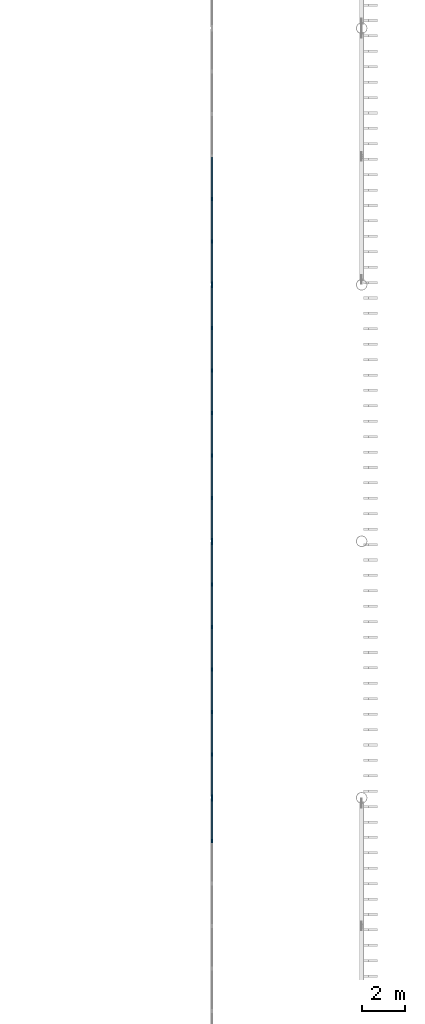
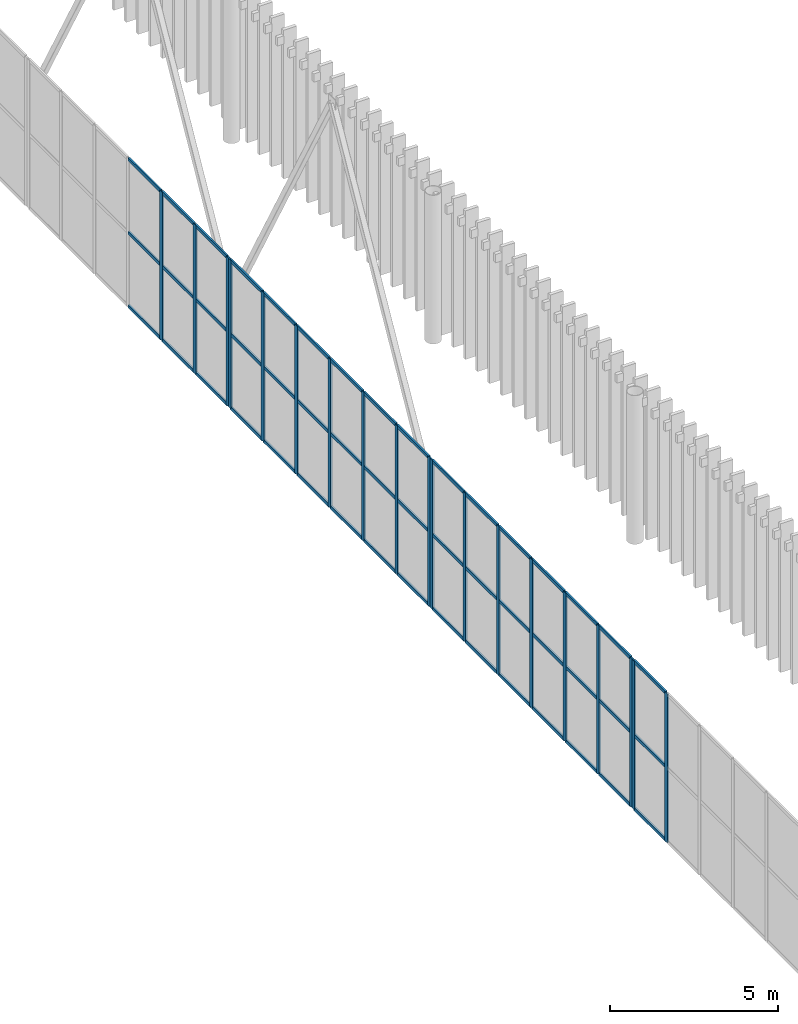
# One storey, part 46 of 170: 67 members, 4 elements without a shape of their own.
"""IFC4 building model written with IfcOpenShell, lengths in metres."""

from ifc_helpers import new_model, si_unit, direction, frame, origin, origin_2d, place, context, subcontext, project, spatial, rectangle, extrude, material, layer, layer_set, material_profile, profile_set, type_object, element, aggregate, save


model = new_model("IFC4")

# Units and contexts
model_context = context("Model", 3, precision=1e-05, world=origin(), true_north=direction((0.0, 1.0)))
body_context = subcontext(model_context, "Body", "Model", "MODEL_VIEW")
ifc_project = project(units=[si_unit("LENGTHUNIT", "METRE"), si_unit("AREAUNIT", "SQUARE_METRE"), si_unit("VOLUMEUNIT", "CUBIC_METRE"), si_unit("PLANEANGLEUNIT", "RADIAN"), si_unit("MASSUNIT", "GRAM", prefix="KILO")], contexts=[model_context])

# Site, building, storey
site_placement = place(None, origin())
site = spatial("IfcSite", under=ifc_project, at=site_placement, CompositionType="ELEMENT")
building_placement = place(site_placement, origin())
building = spatial("IfcBuilding", under=site, at=building_placement, Name="Ravi Spectrum Wholesale Market", CompositionType="ELEMENT")
storey_placement = place(building_placement, frame((0.0, 0.0, 5.39990234375)))
storey = spatial("IfcBuildingStorey", under=building, at=storey_placement, Name="L01", CompositionType="ELEMENT", Elevation=5.39990234375)

# Curtain wall, members
ifc_material_1 = material(Name="Aluminium 6063-T6", Category="aluminium")
ifc_layer = layer(ifc_material_1, 0.14990234375)
ifc_layer_set = layer_set([ifc_layer], Name="Aluminium 6063-T6")
curtain_wall_type = type_object("IfcCurtainWallType", Name="Curtain wall 150", PredefinedType="NOTDEFINED", material=ifc_layer_set)
curtain_wall_1_placement = place(storey_placement, origin())
curtain_wall_1 = element("IfcCurtainWall", 1, at=curtain_wall_1_placement, inside=storey, type_object=curtain_wall_type, Name="H1-CW-L01-018", PredefinedType="NOTDEFINED")
ifc_material_2 = material(Name="Aluminium 6063-T6", Category="aluminium")
ifc_material_profile_1 = material_profile(ifc_material_2, rectangle(XDim=0.06005859375, YDim=0.159912109375, at=origin_2d()))
ifc_profile_set_1 = profile_set([ifc_material_profile_1], Name="Aluminium 6063-T6")
member_type_1 = type_object("IfcMemberType", Name="Mullion 60 x 160", PredefinedType="MULLION", material=ifc_profile_set_1)
member_1_placement = place(storey_placement, frame((103.0, 75.973388671875, 0.0), z_axis=(0.0, 0.0, 1.0), x_axis=(-1.0, 0.0, 0.0)))
member_1 = element("IfcMember", 2, at=member_1_placement, type_object=member_type_1, Name="H1-CW-L01-018 mullion 6", PredefinedType="MULLION", context=body_context, shape_type="SweptSolid", body=[
    extrude(rectangle(XDim=0.06005859375, YDim=0.159912109375, at=origin_2d()), origin(), (0.0, 0.0, 1.0), 5.400146484375),
])
member_2_placement = place(storey_placement, frame((103.0, 77.929931640625, 0.0), z_axis=(0.0, 0.0, 1.0), x_axis=(-1.0, 0.0, 0.0)))
member_2 = element("IfcMember", 3, at=member_2_placement, type_object=member_type_1, Name="H1-CW-L01-018 mullion 7", PredefinedType="MULLION", context=body_context, shape_type="SweptSolid", body=[
    extrude(rectangle(XDim=0.06005859375, YDim=0.159912109375, at=origin_2d()), origin(), (0.0, 0.0, 1.0), 5.400146484375),
])

curtain_wall_2_placement = place(storey_placement, origin())
curtain_wall_2 = element("IfcCurtainWall", 4, at=curtain_wall_2_placement, inside=storey, type_object=curtain_wall_type, Name="H1-CW-L01-019", PredefinedType="NOTDEFINED")
member_3_placement = place(storey_placement, frame((103.0, 78.070068359375, 0.0), z_axis=(0.0, 0.0, 1.0), x_axis=(-1.0, 0.0, 0.0)))
member_3 = element("IfcMember", 5, at=member_3_placement, type_object=member_type_1, Name="H1-CW-L01-019 mullion 1", PredefinedType="MULLION", context=body_context, shape_type="SweptSolid", body=[
    extrude(rectangle(XDim=0.06005859375, YDim=0.159912109375, at=origin_2d()), origin(), (0.0, 0.0, 1.0), 5.400146484375),
])
member_4_placement = place(storey_placement, frame((103.0, 80.026611328125, 0.0), z_axis=(0.0, 0.0, 1.0), x_axis=(-1.0, 0.0, 0.0)))
member_4 = element("IfcMember", 6, at=member_4_placement, type_object=member_type_1, Name="H1-CW-L01-019 mullion 2", PredefinedType="MULLION", context=body_context, shape_type="SweptSolid", body=[
    extrude(rectangle(XDim=0.06005859375, YDim=0.159912109375, at=origin_2d()), origin(), (0.0, 0.0, 1.0), 5.400146484375),
])
member_5_placement = place(storey_placement, frame((103.0, 82.013427734375, 0.0), z_axis=(0.0, 0.0, 1.0), x_axis=(-1.0, 0.0, 0.0)))
member_5 = element("IfcMember", 7, at=member_5_placement, type_object=member_type_1, Name="H1-CW-L01-019 mullion 3", PredefinedType="MULLION", context=body_context, shape_type="SweptSolid", body=[
    extrude(rectangle(XDim=0.06005859375, YDim=0.159912109375, at=origin_2d()), origin(), (0.0, 0.0, 1.0), 5.400146484375),
])
member_6_placement = place(storey_placement, frame((103.0, 84.0, 0.0), z_axis=(0.0, 0.0, 1.0), x_axis=(-1.0, 0.0, 0.0)))
member_6 = element("IfcMember", 8, at=member_6_placement, type_object=member_type_1, Name="H1-CW-L01-019 mullion 4", PredefinedType="MULLION", context=body_context, shape_type="SweptSolid", body=[
    extrude(rectangle(XDim=0.06005859375, YDim=0.159912109375, at=origin_2d()), origin(), (0.0, 0.0, 1.0), 5.400146484375),
])
member_7_placement = place(storey_placement, frame((103.0, 85.986572265625, 0.0), z_axis=(0.0, 0.0, 1.0), x_axis=(-1.0, 0.0, 0.0)))
member_7 = element("IfcMember", 9, at=member_7_placement, type_object=member_type_1, Name="H1-CW-L01-019 mullion 5", PredefinedType="MULLION", context=body_context, shape_type="SweptSolid", body=[
    extrude(rectangle(XDim=0.06005859375, YDim=0.159912109375, at=origin_2d()), origin(), (0.0, 0.0, 1.0), 5.400146484375),
])
member_8_placement = place(storey_placement, frame((103.0, 87.973388671875, 0.0), z_axis=(0.0, 0.0, 1.0), x_axis=(-1.0, 0.0, 0.0)))
member_8 = element("IfcMember", 10, at=member_8_placement, type_object=member_type_1, Name="H1-CW-L01-019 mullion 6", PredefinedType="MULLION", context=body_context, shape_type="SweptSolid", body=[
    extrude(rectangle(XDim=0.06005859375, YDim=0.159912109375, at=origin_2d()), origin(), (0.0, 0.0, 1.0), 5.400146484375),
])
member_9_placement = place(storey_placement, frame((103.0, 89.929931640625, 0.0), z_axis=(0.0, 0.0, 1.0), x_axis=(-1.0, 0.0, 0.0)))
member_9 = element("IfcMember", 11, at=member_9_placement, type_object=member_type_1, Name="H1-CW-L01-019 mullion 7", PredefinedType="MULLION", context=body_context, shape_type="SweptSolid", body=[
    extrude(rectangle(XDim=0.06005859375, YDim=0.159912109375, at=origin_2d()), origin(), (0.0, 0.0, 1.0), 5.400146484375),
])

curtain_wall_3_placement = place(storey_placement, origin())
curtain_wall_3 = element("IfcCurtainWall", 12, at=curtain_wall_3_placement, inside=storey, type_object=curtain_wall_type, Name="H1-CW-L01-020", PredefinedType="NOTDEFINED")
member_10_placement = place(storey_placement, frame((103.0, 90.070068359375, 0.0), z_axis=(0.0, 0.0, 1.0), x_axis=(-1.0, 0.0, 0.0)))
member_10 = element("IfcMember", 13, at=member_10_placement, type_object=member_type_1, Name="H1-CW-L01-020 mullion 1", PredefinedType="MULLION", context=body_context, shape_type="SweptSolid", body=[
    extrude(rectangle(XDim=0.06005859375, YDim=0.159912109375, at=origin_2d()), origin(), (0.0, 0.0, 1.0), 5.400146484375),
])
member_11_placement = place(storey_placement, frame((103.0, 92.026611328125, 0.0), z_axis=(0.0, 0.0, 1.0), x_axis=(-1.0, 0.0, 0.0)))
member_11 = element("IfcMember", 14, at=member_11_placement, type_object=member_type_1, Name="H1-CW-L01-020 mullion 2", PredefinedType="MULLION", context=body_context, shape_type="SweptSolid", body=[
    extrude(rectangle(XDim=0.06005859375, YDim=0.159912109375, at=origin_2d()), origin(), (0.0, 0.0, 1.0), 5.400146484375),
])
member_12_placement = place(storey_placement, frame((103.0, 94.013427734375, 0.0), z_axis=(0.0, 0.0, 1.0), x_axis=(-1.0, 0.0, 0.0)))
member_12 = element("IfcMember", 15, at=member_12_placement, type_object=member_type_1, Name="H1-CW-L01-020 mullion 3", PredefinedType="MULLION", context=body_context, shape_type="SweptSolid", body=[
    extrude(rectangle(XDim=0.06005859375, YDim=0.159912109375, at=origin_2d()), origin(), (0.0, 0.0, 1.0), 5.400146484375),
])
member_13_placement = place(storey_placement, frame((103.0, 96.0, 0.0), z_axis=(0.0, 0.0, 1.0), x_axis=(-1.0, 0.0, 0.0)))
member_13 = element("IfcMember", 16, at=member_13_placement, type_object=member_type_1, Name="H1-CW-L01-020 mullion 4", PredefinedType="MULLION", context=body_context, shape_type="SweptSolid", body=[
    extrude(rectangle(XDim=0.06005859375, YDim=0.159912109375, at=origin_2d()), origin(), (0.0, 0.0, 1.0), 5.400146484375),
])
member_14_placement = place(storey_placement, frame((103.0, 97.986572265625, 0.0), z_axis=(0.0, 0.0, 1.0), x_axis=(-1.0, 0.0, 0.0)))
member_14 = element("IfcMember", 17, at=member_14_placement, type_object=member_type_1, Name="H1-CW-L01-020 mullion 5", PredefinedType="MULLION", context=body_context, shape_type="SweptSolid", body=[
    extrude(rectangle(XDim=0.06005859375, YDim=0.159912109375, at=origin_2d()), origin(), (0.0, 0.0, 1.0), 5.400146484375),
])
member_15_placement = place(storey_placement, frame((103.0, 99.973388671875, 0.0), z_axis=(0.0, 0.0, 1.0), x_axis=(-1.0, 0.0, 0.0)))
member_15 = element("IfcMember", 18, at=member_15_placement, type_object=member_type_1, Name="H1-CW-L01-020 mullion 6", PredefinedType="MULLION", context=body_context, shape_type="SweptSolid", body=[
    extrude(rectangle(XDim=0.06005859375, YDim=0.159912109375, at=origin_2d()), origin(), (0.0, 0.0, 1.0), 5.400146484375),
])
member_16_placement = place(storey_placement, frame((103.0, 101.929931640625, 0.0), z_axis=(0.0, 0.0, 1.0), x_axis=(-1.0, 0.0, 0.0)))
member_16 = element("IfcMember", 19, at=member_16_placement, type_object=member_type_1, Name="H1-CW-L01-020 mullion 7", PredefinedType="MULLION", context=body_context, shape_type="SweptSolid", body=[
    extrude(rectangle(XDim=0.06005859375, YDim=0.159912109375, at=origin_2d()), origin(), (0.0, 0.0, 1.0), 5.400146484375),
])

curtain_wall_4_placement = place(storey_placement, origin())
curtain_wall_4 = element("IfcCurtainWall", 20, at=curtain_wall_4_placement, inside=storey, type_object=curtain_wall_type, Name="H1-CW-L01-021", PredefinedType="NOTDEFINED")
member_17_placement = place(storey_placement, frame((103.0, 102.070068359375, 0.0), z_axis=(0.0, 0.0, 1.0), x_axis=(-1.0, 0.0, 0.0)))
member_17 = element("IfcMember", 21, at=member_17_placement, type_object=member_type_1, Name="H1-CW-L01-021 mullion 1", PredefinedType="MULLION", context=body_context, shape_type="SweptSolid", body=[
    extrude(rectangle(XDim=0.06005859375, YDim=0.159912109375, at=origin_2d()), origin(), (0.0, 0.0, 1.0), 5.400146484375),
])
member_18_placement = place(storey_placement, frame((103.0, 104.026611328125, 0.0), z_axis=(0.0, 0.0, 1.0), x_axis=(-1.0, 0.0, 0.0)))
member_18 = element("IfcMember", 22, at=member_18_placement, type_object=member_type_1, Name="H1-CW-L01-021 mullion 2", PredefinedType="MULLION", context=body_context, shape_type="SweptSolid", body=[
    extrude(rectangle(XDim=0.06005859375, YDim=0.159912109375, at=origin_2d()), origin(), (0.0, 0.0, 1.0), 5.400146484375),
])
member_19_placement = place(storey_placement, frame((103.0, 106.013427734375, 0.0), z_axis=(0.0, 0.0, 1.0), x_axis=(-1.0, 0.0, 0.0)))
member_19 = element("IfcMember", 23, at=member_19_placement, type_object=member_type_1, Name="H1-CW-L01-021 mullion 3", PredefinedType="MULLION", context=body_context, shape_type="SweptSolid", body=[
    extrude(rectangle(XDim=0.06005859375, YDim=0.159912109375, at=origin_2d()), origin(), (0.0, 0.0, 1.0), 5.400146484375),
])

# Member
ifc_material_3 = material(Name="Aluminium 6063-T6", Category="aluminium")
ifc_material_profile_2 = material_profile(ifc_material_3, rectangle(XDim=0.06005859375, YDim=0.1201171875, at=origin_2d()))
ifc_profile_set_2 = profile_set([ifc_material_profile_2], Name="Aluminium 6063-T6")
member_type_2 = type_object("IfcMemberType", Name="Transom 60 x 120", PredefinedType="USERDEFINED", material=ifc_profile_set_2)
member_20_placement = place(storey_placement, frame((103.0, 76.00341796875, 0.030029296875), z_axis=(0.0, 1.0, 0.0), x_axis=(-1.0, 0.0, 0.0)))
member_20 = element("IfcMember", 24, at=member_20_placement, type_object=member_type_2, Name="H1-CW-L01-018 transom 6.1", ObjectType="TRANSOM", PredefinedType="USERDEFINED", context=body_context, shape_type="SweptSolid", body=[
    extrude(rectangle(XDim=0.06005859375, YDim=0.1201171875, at=origin_2d()), origin(), (0.0, 0.0, 1.0), 1.896484375),
])

member_21_placement = place(storey_placement, frame((103.0, 76.00341796875, 2.7001953125), z_axis=(0.0, 1.0, 0.0), x_axis=(-1.0, 0.0, 0.0)))
member_21 = element("IfcMember", 25, at=member_21_placement, type_object=member_type_2, Name="H1-CW-L01-018 transom 6.2", ObjectType="TRANSOM", PredefinedType="USERDEFINED", context=body_context, shape_type="SweptSolid", body=[
    extrude(rectangle(XDim=0.06005859375, YDim=0.1201171875, at=origin_2d()), origin(), (0.0, 0.0, 1.0), 1.896484375),
])

member_22_placement = place(storey_placement, frame((103.0, 76.00341796875, 5.3701171875), z_axis=(0.0, 1.0, 0.0), x_axis=(-1.0, 0.0, 0.0)))
member_22 = element("IfcMember", 26, at=member_22_placement, type_object=member_type_2, Name="H1-CW-L01-018 transom 6.3", ObjectType="TRANSOM", PredefinedType="USERDEFINED", context=body_context, shape_type="SweptSolid", body=[
    extrude(rectangle(XDim=0.06005859375, YDim=0.1201171875, at=origin_2d()), origin(), (0.0, 0.0, 1.0), 1.896484375),
])

aggregate(curtain_wall_1, [member_1, member_2, member_20, member_21, member_22])

member_23_placement = place(storey_placement, frame((103.0, 78.10009765625, 0.030029296875), z_axis=(0.0, 1.0, 0.0), x_axis=(-1.0, 0.0, 0.0)))
member_23 = element("IfcMember", 27, at=member_23_placement, type_object=member_type_2, Name="H1-CW-L01-019 transom 1.1", ObjectType="TRANSOM", PredefinedType="USERDEFINED", context=body_context, shape_type="SweptSolid", body=[
    extrude(rectangle(XDim=0.06005859375, YDim=0.1201171875, at=origin_2d()), origin(), (0.0, 0.0, 1.0), 1.896484375),
])

member_24_placement = place(storey_placement, frame((103.0, 78.10009765625, 2.7001953125), z_axis=(0.0, 1.0, 0.0), x_axis=(-1.0, 0.0, 0.0)))
member_24 = element("IfcMember", 28, at=member_24_placement, type_object=member_type_2, Name="H1-CW-L01-019 transom 1.2", ObjectType="TRANSOM", PredefinedType="USERDEFINED", context=body_context, shape_type="SweptSolid", body=[
    extrude(rectangle(XDim=0.06005859375, YDim=0.1201171875, at=origin_2d()), origin(), (0.0, 0.0, 1.0), 1.896484375),
])

member_25_placement = place(storey_placement, frame((103.0, 78.10009765625, 5.3701171875), z_axis=(0.0, 1.0, 0.0), x_axis=(-1.0, 0.0, 0.0)))
member_25 = element("IfcMember", 29, at=member_25_placement, type_object=member_type_2, Name="H1-CW-L01-019 transom 1.3", ObjectType="TRANSOM", PredefinedType="USERDEFINED", context=body_context, shape_type="SweptSolid", body=[
    extrude(rectangle(XDim=0.06005859375, YDim=0.1201171875, at=origin_2d()), origin(), (0.0, 0.0, 1.0), 1.896484375),
])

member_26_placement = place(storey_placement, frame((103.0, 80.056640625, 0.030029296875), z_axis=(0.0, 1.0, 0.0), x_axis=(-1.0, 0.0, 0.0)))
member_26 = element("IfcMember", 30, at=member_26_placement, type_object=member_type_2, Name="H1-CW-L01-019 transom 2.1", ObjectType="TRANSOM", PredefinedType="USERDEFINED", context=body_context, shape_type="SweptSolid", body=[
    extrude(rectangle(XDim=0.06005859375, YDim=0.1201171875, at=origin_2d()), origin(), (0.0, 0.0, 1.0), 1.9267578125),
])

member_27_placement = place(storey_placement, frame((103.0, 80.056640625, 2.7001953125), z_axis=(0.0, 1.0, 0.0), x_axis=(-1.0, 0.0, 0.0)))
member_27 = element("IfcMember", 31, at=member_27_placement, type_object=member_type_2, Name="H1-CW-L01-019 transom 2.2", ObjectType="TRANSOM", PredefinedType="USERDEFINED", context=body_context, shape_type="SweptSolid", body=[
    extrude(rectangle(XDim=0.06005859375, YDim=0.1201171875, at=origin_2d()), origin(), (0.0, 0.0, 1.0), 1.9267578125),
])

member_28_placement = place(storey_placement, frame((103.0, 80.056640625, 5.3701171875), z_axis=(0.0, 1.0, 0.0), x_axis=(-1.0, 0.0, 0.0)))
member_28 = element("IfcMember", 32, at=member_28_placement, type_object=member_type_2, Name="H1-CW-L01-019 transom 2.3", ObjectType="TRANSOM", PredefinedType="USERDEFINED", context=body_context, shape_type="SweptSolid", body=[
    extrude(rectangle(XDim=0.06005859375, YDim=0.1201171875, at=origin_2d()), origin(), (0.0, 0.0, 1.0), 1.9267578125),
])

member_29_placement = place(storey_placement, frame((103.0, 82.043212890625, 0.030029296875), z_axis=(0.0, 1.0, 0.0), x_axis=(-1.0, 0.0, 0.0)))
member_29 = element("IfcMember", 33, at=member_29_placement, type_object=member_type_2, Name="H1-CW-L01-019 transom 3.1", ObjectType="TRANSOM", PredefinedType="USERDEFINED", context=body_context, shape_type="SweptSolid", body=[
    extrude(rectangle(XDim=0.06005859375, YDim=0.1201171875, at=origin_2d()), origin(), (0.0, 0.0, 1.0), 1.9267578125),
])

member_30_placement = place(storey_placement, frame((103.0, 82.043212890625, 2.7001953125), z_axis=(0.0, 1.0, 0.0), x_axis=(-1.0, 0.0, 0.0)))
member_30 = element("IfcMember", 34, at=member_30_placement, type_object=member_type_2, Name="H1-CW-L01-019 transom 3.2", ObjectType="TRANSOM", PredefinedType="USERDEFINED", context=body_context, shape_type="SweptSolid", body=[
    extrude(rectangle(XDim=0.06005859375, YDim=0.1201171875, at=origin_2d()), origin(), (0.0, 0.0, 1.0), 1.9267578125),
])

member_31_placement = place(storey_placement, frame((103.0, 82.043212890625, 5.3701171875), z_axis=(0.0, 1.0, 0.0), x_axis=(-1.0, 0.0, 0.0)))
member_31 = element("IfcMember", 35, at=member_31_placement, type_object=member_type_2, Name="H1-CW-L01-019 transom 3.3", ObjectType="TRANSOM", PredefinedType="USERDEFINED", context=body_context, shape_type="SweptSolid", body=[
    extrude(rectangle(XDim=0.06005859375, YDim=0.1201171875, at=origin_2d()), origin(), (0.0, 0.0, 1.0), 1.9267578125),
])

member_32_placement = place(storey_placement, frame((103.0, 84.030029296875, 0.030029296875), z_axis=(0.0, 1.0, 0.0), x_axis=(-1.0, 0.0, 0.0)))
member_32 = element("IfcMember", 36, at=member_32_placement, type_object=member_type_2, Name="H1-CW-L01-019 transom 4.1", ObjectType="TRANSOM", PredefinedType="USERDEFINED", context=body_context, shape_type="SweptSolid", body=[
    extrude(rectangle(XDim=0.06005859375, YDim=0.1201171875, at=origin_2d()), origin(), (0.0, 0.0, 1.0), 1.9267578125),
])

member_33_placement = place(storey_placement, frame((103.0, 84.030029296875, 2.7001953125), z_axis=(0.0, 1.0, 0.0), x_axis=(-1.0, 0.0, 0.0)))
member_33 = element("IfcMember", 37, at=member_33_placement, type_object=member_type_2, Name="H1-CW-L01-019 transom 4.2", ObjectType="TRANSOM", PredefinedType="USERDEFINED", context=body_context, shape_type="SweptSolid", body=[
    extrude(rectangle(XDim=0.06005859375, YDim=0.1201171875, at=origin_2d()), origin(), (0.0, 0.0, 1.0), 1.9267578125),
])

member_34_placement = place(storey_placement, frame((103.0, 84.030029296875, 5.3701171875), z_axis=(0.0, 1.0, 0.0), x_axis=(-1.0, 0.0, 0.0)))
member_34 = element("IfcMember", 38, at=member_34_placement, type_object=member_type_2, Name="H1-CW-L01-019 transom 4.3", ObjectType="TRANSOM", PredefinedType="USERDEFINED", context=body_context, shape_type="SweptSolid", body=[
    extrude(rectangle(XDim=0.06005859375, YDim=0.1201171875, at=origin_2d()), origin(), (0.0, 0.0, 1.0), 1.9267578125),
])

member_35_placement = place(storey_placement, frame((103.0, 86.0166015625, 0.030029296875), z_axis=(0.0, 1.0, 0.0), x_axis=(-1.0, 0.0, 0.0)))
member_35 = element("IfcMember", 39, at=member_35_placement, type_object=member_type_2, Name="H1-CW-L01-019 transom 5.1", ObjectType="TRANSOM", PredefinedType="USERDEFINED", context=body_context, shape_type="SweptSolid", body=[
    extrude(rectangle(XDim=0.06005859375, YDim=0.1201171875, at=origin_2d()), origin(), (0.0, 0.0, 1.0), 1.9267578125),
])

member_36_placement = place(storey_placement, frame((103.0, 86.0166015625, 2.7001953125), z_axis=(0.0, 1.0, 0.0), x_axis=(-1.0, 0.0, 0.0)))
member_36 = element("IfcMember", 40, at=member_36_placement, type_object=member_type_2, Name="H1-CW-L01-019 transom 5.2", ObjectType="TRANSOM", PredefinedType="USERDEFINED", context=body_context, shape_type="SweptSolid", body=[
    extrude(rectangle(XDim=0.06005859375, YDim=0.1201171875, at=origin_2d()), origin(), (0.0, 0.0, 1.0), 1.9267578125),
])

member_37_placement = place(storey_placement, frame((103.0, 86.0166015625, 5.3701171875), z_axis=(0.0, 1.0, 0.0), x_axis=(-1.0, 0.0, 0.0)))
member_37 = element("IfcMember", 41, at=member_37_placement, type_object=member_type_2, Name="H1-CW-L01-019 transom 5.3", ObjectType="TRANSOM", PredefinedType="USERDEFINED", context=body_context, shape_type="SweptSolid", body=[
    extrude(rectangle(XDim=0.06005859375, YDim=0.1201171875, at=origin_2d()), origin(), (0.0, 0.0, 1.0), 1.9267578125),
])

member_38_placement = place(storey_placement, frame((103.0, 88.00341796875, 0.030029296875), z_axis=(0.0, 1.0, 0.0), x_axis=(-1.0, 0.0, 0.0)))
member_38 = element("IfcMember", 42, at=member_38_placement, type_object=member_type_2, Name="H1-CW-L01-019 transom 6.1", ObjectType="TRANSOM", PredefinedType="USERDEFINED", context=body_context, shape_type="SweptSolid", body=[
    extrude(rectangle(XDim=0.06005859375, YDim=0.1201171875, at=origin_2d()), origin(), (0.0, 0.0, 1.0), 1.896484375),
])

member_39_placement = place(storey_placement, frame((103.0, 88.00341796875, 2.7001953125), z_axis=(0.0, 1.0, 0.0), x_axis=(-1.0, 0.0, 0.0)))
member_39 = element("IfcMember", 43, at=member_39_placement, type_object=member_type_2, Name="H1-CW-L01-019 transom 6.2", ObjectType="TRANSOM", PredefinedType="USERDEFINED", context=body_context, shape_type="SweptSolid", body=[
    extrude(rectangle(XDim=0.06005859375, YDim=0.1201171875, at=origin_2d()), origin(), (0.0, 0.0, 1.0), 1.896484375),
])

member_40_placement = place(storey_placement, frame((103.0, 88.00341796875, 5.3701171875), z_axis=(0.0, 1.0, 0.0), x_axis=(-1.0, 0.0, 0.0)))
member_40 = element("IfcMember", 44, at=member_40_placement, type_object=member_type_2, Name="H1-CW-L01-019 transom 6.3", ObjectType="TRANSOM", PredefinedType="USERDEFINED", context=body_context, shape_type="SweptSolid", body=[
    extrude(rectangle(XDim=0.06005859375, YDim=0.1201171875, at=origin_2d()), origin(), (0.0, 0.0, 1.0), 1.896484375),
])

aggregate(curtain_wall_2, [member_3, member_4, member_5, member_6, member_7, member_8, member_9, member_23, member_24, member_25, member_26, member_27, member_28, member_29, member_30, member_31, member_32, member_33, member_34, member_35, member_36, member_37, member_38, member_39, member_40])

member_41_placement = place(storey_placement, frame((103.0, 90.10009765625, 0.030029296875), z_axis=(0.0, 1.0, 0.0), x_axis=(-1.0, 0.0, 0.0)))
member_41 = element("IfcMember", 45, at=member_41_placement, type_object=member_type_2, Name="H1-CW-L01-020 transom 1.1", ObjectType="TRANSOM", PredefinedType="USERDEFINED", context=body_context, shape_type="SweptSolid", body=[
    extrude(rectangle(XDim=0.06005859375, YDim=0.1201171875, at=origin_2d()), origin(), (0.0, 0.0, 1.0), 1.896484375),
])

member_42_placement = place(storey_placement, frame((103.0, 90.10009765625, 2.7001953125), z_axis=(0.0, 1.0, 0.0), x_axis=(-1.0, 0.0, 0.0)))
member_42 = element("IfcMember", 46, at=member_42_placement, type_object=member_type_2, Name="H1-CW-L01-020 transom 1.2", ObjectType="TRANSOM", PredefinedType="USERDEFINED", context=body_context, shape_type="SweptSolid", body=[
    extrude(rectangle(XDim=0.06005859375, YDim=0.1201171875, at=origin_2d()), origin(), (0.0, 0.0, 1.0), 1.896484375),
])

member_43_placement = place(storey_placement, frame((103.0, 90.10009765625, 5.3701171875), z_axis=(0.0, 1.0, 0.0), x_axis=(-1.0, 0.0, 0.0)))
member_43 = element("IfcMember", 47, at=member_43_placement, type_object=member_type_2, Name="H1-CW-L01-020 transom 1.3", ObjectType="TRANSOM", PredefinedType="USERDEFINED", context=body_context, shape_type="SweptSolid", body=[
    extrude(rectangle(XDim=0.06005859375, YDim=0.1201171875, at=origin_2d()), origin(), (0.0, 0.0, 1.0), 1.896484375),
])

member_44_placement = place(storey_placement, frame((103.0, 92.056640625, 0.030029296875), z_axis=(0.0, 1.0, 0.0), x_axis=(-1.0, 0.0, 0.0)))
member_44 = element("IfcMember", 48, at=member_44_placement, type_object=member_type_2, Name="H1-CW-L01-020 transom 2.1", ObjectType="TRANSOM", PredefinedType="USERDEFINED", context=body_context, shape_type="SweptSolid", body=[
    extrude(rectangle(XDim=0.06005859375, YDim=0.1201171875, at=origin_2d()), origin(), (0.0, 0.0, 1.0), 1.9267578125),
])

member_45_placement = place(storey_placement, frame((103.0, 92.056640625, 2.7001953125), z_axis=(0.0, 1.0, 0.0), x_axis=(-1.0, 0.0, 0.0)))
member_45 = element("IfcMember", 49, at=member_45_placement, type_object=member_type_2, Name="H1-CW-L01-020 transom 2.2", ObjectType="TRANSOM", PredefinedType="USERDEFINED", context=body_context, shape_type="SweptSolid", body=[
    extrude(rectangle(XDim=0.06005859375, YDim=0.1201171875, at=origin_2d()), origin(), (0.0, 0.0, 1.0), 1.9267578125),
])

member_46_placement = place(storey_placement, frame((103.0, 92.056640625, 5.3701171875), z_axis=(0.0, 1.0, 0.0), x_axis=(-1.0, 0.0, 0.0)))
member_46 = element("IfcMember", 50, at=member_46_placement, type_object=member_type_2, Name="H1-CW-L01-020 transom 2.3", ObjectType="TRANSOM", PredefinedType="USERDEFINED", context=body_context, shape_type="SweptSolid", body=[
    extrude(rectangle(XDim=0.06005859375, YDim=0.1201171875, at=origin_2d()), origin(), (0.0, 0.0, 1.0), 1.9267578125),
])

member_47_placement = place(storey_placement, frame((103.0, 94.043212890625, 0.030029296875), z_axis=(0.0, 1.0, 0.0), x_axis=(-1.0, 0.0, 0.0)))
member_47 = element("IfcMember", 51, at=member_47_placement, type_object=member_type_2, Name="H1-CW-L01-020 transom 3.1", ObjectType="TRANSOM", PredefinedType="USERDEFINED", context=body_context, shape_type="SweptSolid", body=[
    extrude(rectangle(XDim=0.06005859375, YDim=0.1201171875, at=origin_2d()), origin(), (0.0, 0.0, 1.0), 1.9267578125),
])

member_48_placement = place(storey_placement, frame((103.0, 94.043212890625, 2.7001953125), z_axis=(0.0, 1.0, 0.0), x_axis=(-1.0, 0.0, 0.0)))
member_48 = element("IfcMember", 52, at=member_48_placement, type_object=member_type_2, Name="H1-CW-L01-020 transom 3.2", ObjectType="TRANSOM", PredefinedType="USERDEFINED", context=body_context, shape_type="SweptSolid", body=[
    extrude(rectangle(XDim=0.06005859375, YDim=0.1201171875, at=origin_2d()), origin(), (0.0, 0.0, 1.0), 1.9267578125),
])

member_49_placement = place(storey_placement, frame((103.0, 94.043212890625, 5.3701171875), z_axis=(0.0, 1.0, 0.0), x_axis=(-1.0, 0.0, 0.0)))
member_49 = element("IfcMember", 53, at=member_49_placement, type_object=member_type_2, Name="H1-CW-L01-020 transom 3.3", ObjectType="TRANSOM", PredefinedType="USERDEFINED", context=body_context, shape_type="SweptSolid", body=[
    extrude(rectangle(XDim=0.06005859375, YDim=0.1201171875, at=origin_2d()), origin(), (0.0, 0.0, 1.0), 1.9267578125),
])

member_50_placement = place(storey_placement, frame((103.0, 96.030029296875, 0.030029296875), z_axis=(0.0, 1.0, 0.0), x_axis=(-1.0, 0.0, 0.0)))
member_50 = element("IfcMember", 54, at=member_50_placement, type_object=member_type_2, Name="H1-CW-L01-020 transom 4.1", ObjectType="TRANSOM", PredefinedType="USERDEFINED", context=body_context, shape_type="SweptSolid", body=[
    extrude(rectangle(XDim=0.06005859375, YDim=0.1201171875, at=origin_2d()), origin(), (0.0, 0.0, 1.0), 1.9267578125),
])

member_51_placement = place(storey_placement, frame((103.0, 96.030029296875, 2.7001953125), z_axis=(0.0, 1.0, 0.0), x_axis=(-1.0, 0.0, 0.0)))
member_51 = element("IfcMember", 55, at=member_51_placement, type_object=member_type_2, Name="H1-CW-L01-020 transom 4.2", ObjectType="TRANSOM", PredefinedType="USERDEFINED", context=body_context, shape_type="SweptSolid", body=[
    extrude(rectangle(XDim=0.06005859375, YDim=0.1201171875, at=origin_2d()), origin(), (0.0, 0.0, 1.0), 1.9267578125),
])

member_52_placement = place(storey_placement, frame((103.0, 96.030029296875, 5.3701171875), z_axis=(0.0, 1.0, 0.0), x_axis=(-1.0, 0.0, 0.0)))
member_52 = element("IfcMember", 56, at=member_52_placement, type_object=member_type_2, Name="H1-CW-L01-020 transom 4.3", ObjectType="TRANSOM", PredefinedType="USERDEFINED", context=body_context, shape_type="SweptSolid", body=[
    extrude(rectangle(XDim=0.06005859375, YDim=0.1201171875, at=origin_2d()), origin(), (0.0, 0.0, 1.0), 1.9267578125),
])

member_53_placement = place(storey_placement, frame((103.0, 98.0166015625, 0.030029296875), z_axis=(0.0, 1.0, 0.0), x_axis=(-1.0, 0.0, 0.0)))
member_53 = element("IfcMember", 57, at=member_53_placement, type_object=member_type_2, Name="H1-CW-L01-020 transom 5.1", ObjectType="TRANSOM", PredefinedType="USERDEFINED", context=body_context, shape_type="SweptSolid", body=[
    extrude(rectangle(XDim=0.06005859375, YDim=0.1201171875, at=origin_2d()), origin(), (0.0, 0.0, 1.0), 1.9267578125),
])

member_54_placement = place(storey_placement, frame((103.0, 98.0166015625, 2.7001953125), z_axis=(0.0, 1.0, 0.0), x_axis=(-1.0, 0.0, 0.0)))
member_54 = element("IfcMember", 58, at=member_54_placement, type_object=member_type_2, Name="H1-CW-L01-020 transom 5.2", ObjectType="TRANSOM", PredefinedType="USERDEFINED", context=body_context, shape_type="SweptSolid", body=[
    extrude(rectangle(XDim=0.06005859375, YDim=0.1201171875, at=origin_2d()), origin(), (0.0, 0.0, 1.0), 1.9267578125),
])

member_55_placement = place(storey_placement, frame((103.0, 98.0166015625, 5.3701171875), z_axis=(0.0, 1.0, 0.0), x_axis=(-1.0, 0.0, 0.0)))
member_55 = element("IfcMember", 59, at=member_55_placement, type_object=member_type_2, Name="H1-CW-L01-020 transom 5.3", ObjectType="TRANSOM", PredefinedType="USERDEFINED", context=body_context, shape_type="SweptSolid", body=[
    extrude(rectangle(XDim=0.06005859375, YDim=0.1201171875, at=origin_2d()), origin(), (0.0, 0.0, 1.0), 1.9267578125),
])

member_56_placement = place(storey_placement, frame((103.0, 100.00341796875, 0.030029296875), z_axis=(0.0, 1.0, 0.0), x_axis=(-1.0, 0.0, 0.0)))
member_56 = element("IfcMember", 60, at=member_56_placement, type_object=member_type_2, Name="H1-CW-L01-020 transom 6.1", ObjectType="TRANSOM", PredefinedType="USERDEFINED", context=body_context, shape_type="SweptSolid", body=[
    extrude(rectangle(XDim=0.06005859375, YDim=0.1201171875, at=origin_2d()), origin(), (0.0, 0.0, 1.0), 1.896484375),
])

member_57_placement = place(storey_placement, frame((103.0, 100.00341796875, 2.7001953125), z_axis=(0.0, 1.0, 0.0), x_axis=(-1.0, 0.0, 0.0)))
member_57 = element("IfcMember", 61, at=member_57_placement, type_object=member_type_2, Name="H1-CW-L01-020 transom 6.2", ObjectType="TRANSOM", PredefinedType="USERDEFINED", context=body_context, shape_type="SweptSolid", body=[
    extrude(rectangle(XDim=0.06005859375, YDim=0.1201171875, at=origin_2d()), origin(), (0.0, 0.0, 1.0), 1.896484375),
])

member_58_placement = place(storey_placement, frame((103.0, 100.00341796875, 5.3701171875), z_axis=(0.0, 1.0, 0.0), x_axis=(-1.0, 0.0, 0.0)))
member_58 = element("IfcMember", 62, at=member_58_placement, type_object=member_type_2, Name="H1-CW-L01-020 transom 6.3", ObjectType="TRANSOM", PredefinedType="USERDEFINED", context=body_context, shape_type="SweptSolid", body=[
    extrude(rectangle(XDim=0.06005859375, YDim=0.1201171875, at=origin_2d()), origin(), (0.0, 0.0, 1.0), 1.896484375),
])

aggregate(curtain_wall_3, [member_10, member_11, member_12, member_13, member_14, member_15, member_16, member_41, member_42, member_43, member_44, member_45, member_46, member_47, member_48, member_49, member_50, member_51, member_52, member_53, member_54, member_55, member_56, member_57, member_58])

member_59_placement = place(storey_placement, frame((103.0, 102.10009765625, 0.030029296875), z_axis=(0.0, 1.0, 0.0), x_axis=(-1.0, 0.0, 0.0)))
member_59 = element("IfcMember", 63, at=member_59_placement, type_object=member_type_2, Name="H1-CW-L01-021 transom 1.1", ObjectType="TRANSOM", PredefinedType="USERDEFINED", context=body_context, shape_type="SweptSolid", body=[
    extrude(rectangle(XDim=0.06005859375, YDim=0.1201171875, at=origin_2d()), origin(), (0.0, 0.0, 1.0), 1.896484375),
])

member_60_placement = place(storey_placement, frame((103.0, 102.10009765625, 2.7001953125), z_axis=(0.0, 1.0, 0.0), x_axis=(-1.0, 0.0, 0.0)))
member_60 = element("IfcMember", 64, at=member_60_placement, type_object=member_type_2, Name="H1-CW-L01-021 transom 1.2", ObjectType="TRANSOM", PredefinedType="USERDEFINED", context=body_context, shape_type="SweptSolid", body=[
    extrude(rectangle(XDim=0.06005859375, YDim=0.1201171875, at=origin_2d()), origin(), (0.0, 0.0, 1.0), 1.896484375),
])

member_61_placement = place(storey_placement, frame((103.0, 102.10009765625, 5.3701171875), z_axis=(0.0, 1.0, 0.0), x_axis=(-1.0, 0.0, 0.0)))
member_61 = element("IfcMember", 65, at=member_61_placement, type_object=member_type_2, Name="H1-CW-L01-021 transom 1.3", ObjectType="TRANSOM", PredefinedType="USERDEFINED", context=body_context, shape_type="SweptSolid", body=[
    extrude(rectangle(XDim=0.06005859375, YDim=0.1201171875, at=origin_2d()), origin(), (0.0, 0.0, 1.0), 1.896484375),
])

member_62_placement = place(storey_placement, frame((103.0, 104.056640625, 0.030029296875), z_axis=(0.0, 1.0, 0.0), x_axis=(-1.0, 0.0, 0.0)))
member_62 = element("IfcMember", 66, at=member_62_placement, type_object=member_type_2, Name="H1-CW-L01-021 transom 2.1", ObjectType="TRANSOM", PredefinedType="USERDEFINED", context=body_context, shape_type="SweptSolid", body=[
    extrude(rectangle(XDim=0.06005859375, YDim=0.1201171875, at=origin_2d()), origin(), (0.0, 0.0, 1.0), 1.9267578125),
])

member_63_placement = place(storey_placement, frame((103.0, 104.056640625, 2.7001953125), z_axis=(0.0, 1.0, 0.0), x_axis=(-1.0, 0.0, 0.0)))
member_63 = element("IfcMember", 67, at=member_63_placement, type_object=member_type_2, Name="H1-CW-L01-021 transom 2.2", ObjectType="TRANSOM", PredefinedType="USERDEFINED", context=body_context, shape_type="SweptSolid", body=[
    extrude(rectangle(XDim=0.06005859375, YDim=0.1201171875, at=origin_2d()), origin(), (0.0, 0.0, 1.0), 1.9267578125),
])

member_64_placement = place(storey_placement, frame((103.0, 104.056640625, 5.3701171875), z_axis=(0.0, 1.0, 0.0), x_axis=(-1.0, 0.0, 0.0)))
member_64 = element("IfcMember", 68, at=member_64_placement, type_object=member_type_2, Name="H1-CW-L01-021 transom 2.3", ObjectType="TRANSOM", PredefinedType="USERDEFINED", context=body_context, shape_type="SweptSolid", body=[
    extrude(rectangle(XDim=0.06005859375, YDim=0.1201171875, at=origin_2d()), origin(), (0.0, 0.0, 1.0), 1.9267578125),
])

member_65_placement = place(storey_placement, frame((103.0, 106.043212890625, 0.030029296875), z_axis=(0.0, 1.0, 0.0), x_axis=(-1.0, 0.0, 0.0)))
member_65 = element("IfcMember", 69, at=member_65_placement, type_object=member_type_2, Name="H1-CW-L01-021 transom 3.1", ObjectType="TRANSOM", PredefinedType="USERDEFINED", context=body_context, shape_type="SweptSolid", body=[
    extrude(rectangle(XDim=0.06005859375, YDim=0.1201171875, at=origin_2d()), origin(), (0.0, 0.0, 1.0), 1.9267578125),
])

member_66_placement = place(storey_placement, frame((103.0, 106.043212890625, 2.7001953125), z_axis=(0.0, 1.0, 0.0), x_axis=(-1.0, 0.0, 0.0)))
member_66 = element("IfcMember", 70, at=member_66_placement, type_object=member_type_2, Name="H1-CW-L01-021 transom 3.2", ObjectType="TRANSOM", PredefinedType="USERDEFINED", context=body_context, shape_type="SweptSolid", body=[
    extrude(rectangle(XDim=0.06005859375, YDim=0.1201171875, at=origin_2d()), origin(), (0.0, 0.0, 1.0), 1.9267578125),
])

member_67_placement = place(storey_placement, frame((103.0, 106.043212890625, 5.3701171875), z_axis=(0.0, 1.0, 0.0), x_axis=(-1.0, 0.0, 0.0)))
member_67 = element("IfcMember", 71, at=member_67_placement, type_object=member_type_2, Name="H1-CW-L01-021 transom 3.3", ObjectType="TRANSOM", PredefinedType="USERDEFINED", context=body_context, shape_type="SweptSolid", body=[
    extrude(rectangle(XDim=0.06005859375, YDim=0.1201171875, at=origin_2d()), origin(), (0.0, 0.0, 1.0), 1.9267578125),
])

aggregate(curtain_wall_4, [member_17, member_18, member_19, member_59, member_60, member_61, member_62, member_63, member_64, member_65, member_66, member_67])

save(model, "model.ifc")
